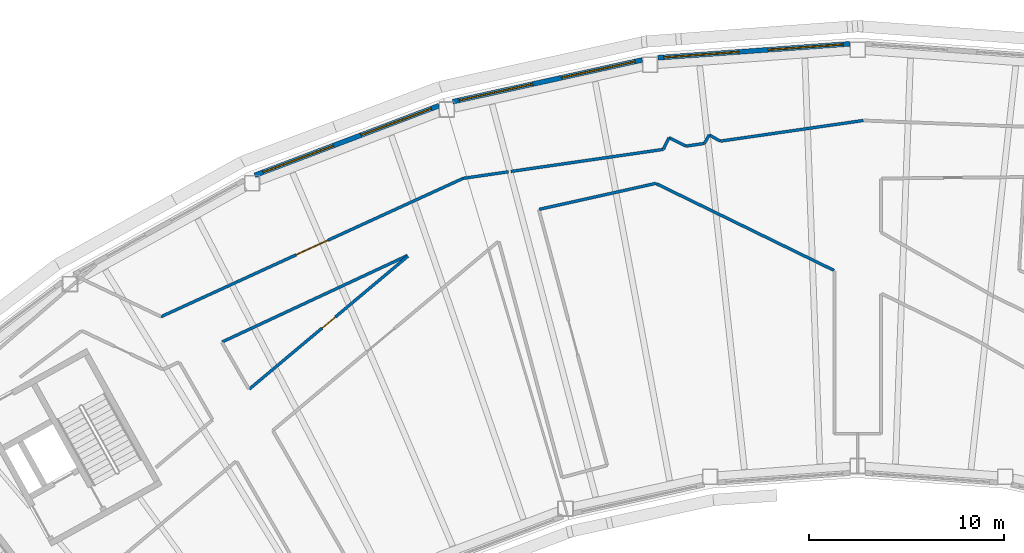
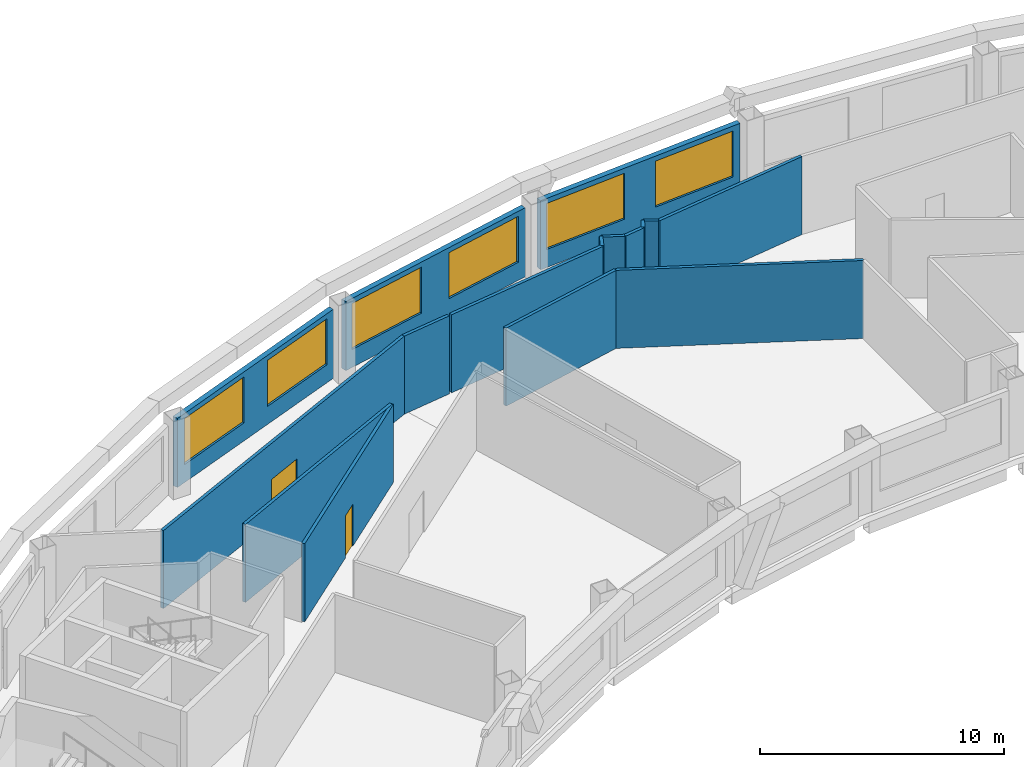
# One storey, part 7 of 13: 16 walls, 6 windows, 2 doors, 8 openings.
"""IFC4 building model written with IfcOpenShell, lengths in metres."""

from ifc_helpers import new_model, si_unit, direction, frame, frame_2d, origin, place, context, subcontext, project, spatial, rectangle, extrude, material, layer, layer_set, type_object, element, fill, save


model = new_model("IFC4")

# Units and contexts
model_context = context("Model", 3, precision=1e-05, world=origin(), true_north=direction((0.0, 1.0)))
body_context = subcontext(model_context, "Body", "Model", "MODEL_VIEW")
ifc_project = project(units=[si_unit("LENGTHUNIT", "METRE"), si_unit("AREAUNIT", "SQUARE_METRE"), si_unit("VOLUMEUNIT", "CUBIC_METRE"), si_unit("PLANEANGLEUNIT", "RADIAN"), si_unit("MASSUNIT", "GRAM", prefix="KILO")], contexts=[model_context])

# Site, building, storey
site_placement = place(None, origin())
site = spatial("IfcSite", under=ifc_project, at=site_placement, CompositionType="ELEMENT")
building_placement = place(site_placement, origin())
building = spatial("IfcBuilding", under=site, at=building_placement, Name="Tuul Gate Civic Tower", CompositionType="ELEMENT")
storey_placement = place(building_placement, frame((0.0, 0.0, 252.60009765625)))
storey = spatial("IfcBuildingStorey", under=building, at=storey_placement, Name="Level 57", CompositionType="ELEMENT", Elevation=252.60009765625)

# Walls
ifc_material_1 = material(Name="Gypsum board partition")
ifc_layer_1 = layer(ifc_material_1, 0.14990234375)
ifc_layer_set_1 = layer_set([ifc_layer_1], Name="Gypsum board partition")
wall_type_1 = type_object("IfcWallType", Name="Corridor wall P150", PredefinedType="PARTITIONING", material=ifc_layer_set_1)
wall_1_placement = place(storey_placement, frame((-9.205810546875, 6.873779296875, 0.0), z_axis=(0.0, 0.0, 1.0), x_axis=(0.989702683531, 0.143138388323, 0.0)))
element("IfcWall", 1, at=wall_1_placement, inside=storey, type_object=wall_type_1, Name="p015", PredefinedType="PARTITIONING", context=body_context, shape_type="SweptSolid", body=[
    extrude(rectangle(XDim=2.3486328125, YDim=0.14990234375, at=frame_2d((1.17431640625, 0.0))), origin(), (0.0, 0.0, 1.0), 3.89990234375),
])
wall_2_placement = place(storey_placement, frame((-6.75732421875, 7.227783203125, 0.0), z_axis=(0.0, 0.0, 1.0), x_axis=(0.989700467322, 0.143153711035, 0.0)))
element("IfcWall", 2, at=wall_2_placement, inside=storey, type_object=wall_type_1, Name="p016", PredefinedType="PARTITIONING", context=body_context, shape_type="SweptSolid", body=[
    extrude(rectangle(XDim=7.89111328125, YDim=0.14990234375, at=frame_2d((3.945556640625, 0.0))), origin(), (0.0, 0.0, 1.0), 3.89990234375),
])
wall_3_placement = place(storey_placement, frame((2.234130859375, 8.5283203125, 0.0), z_axis=(0.0, 0.0, 1.0), x_axis=(0.989713603091, 0.143062866798, 0.0)))
element("IfcWall", 3, at=wall_3_placement, inside=storey, type_object=wall_type_1, Name="p017", PredefinedType="PARTITIONING", context=body_context, shape_type="SweptSolid", body=[
    extrude(rectangle(XDim=0.936767578125, YDim=0.14990234375, at=frame_2d((0.46826171875, 0.0))), origin(), (0.0, 0.0, 1.0), 3.89990234375),
])
wall_4_placement = place(storey_placement, frame((3.98828125, 8.781982421875, 0.0), z_axis=(0.0, 0.0, 1.0), x_axis=(0.989707294465, 0.143106503289, 0.0)))
element("IfcWall", 4, at=wall_4_placement, inside=storey, type_object=wall_type_1, Name="p018", PredefinedType="PARTITIONING", context=body_context, shape_type="SweptSolid", body=[
    extrude(rectangle(XDim=7.40234375, YDim=0.14990234375, at=frame_2d((3.701171875, 0.0))), origin(), (0.0, 0.0, 1.0), 3.89990234375),
])
wall_5_placement = place(storey_placement, frame((3.415283203125, 9.103515625, 0.0), z_axis=(0.0, 0.0, 1.0), x_axis=(0.869611396189, -0.493736791842, 0.0)))
element("IfcWall", 5, at=wall_5_placement, inside=storey, type_object=wall_type_1, Name="p019", PredefinedType="PARTITIONING", context=body_context, shape_type="SweptSolid", body=[
    extrude(rectangle(XDim=0.646240234375, YDim=0.14990234375, at=frame_2d((0.3232421875, 0.0))), origin(), (0.0, 0.0, 1.0), 3.89990234375),
])
wall_6_placement = place(storey_placement, frame((3.170166015625, 8.67138671875, 0.0), z_axis=(0.0, 0.0, 1.0), x_axis=(0.4933845008, 0.869811321132, 0.0)))
element("IfcWall", 6, at=wall_6_placement, inside=storey, type_object=wall_type_1, Name="p023", PredefinedType="PARTITIONING", context=body_context, shape_type="SweptSolid", body=[
    extrude(rectangle(XDim=0.496826171875, YDim=0.14990234375, at=frame_2d((0.24853515625, 0.0))), origin(), (0.0, 0.0, 1.0), 3.89990234375),
])
wall_7_placement = place(storey_placement, frame((1.352783203125, 8.955810546875, 0.0), z_axis=(0.0, 0.0, 1.0), x_axis=(0.898664420182, -0.438636820044, 0.0)))
element("IfcWall", 7, at=wall_7_placement, inside=storey, type_object=wall_type_1, Name="p024", PredefinedType="PARTITIONING", context=body_context, shape_type="SweptSolid", body=[
    extrude(rectangle(XDim=0.97021484375, YDim=0.14990234375, at=frame_2d((0.485107421875, 0.0))), origin(), (0.0, 0.0, 1.0), 3.89990234375),
])
wall_8_placement = place(storey_placement, frame((1.064697265625, 8.3662109375, 0.0), z_axis=(0.0, 0.0, 1.0), x_axis=(0.439009938904, 0.898482205469, 0.0)))
element("IfcWall", 8, at=wall_8_placement, inside=storey, type_object=wall_type_1, Name="p026", PredefinedType="PARTITIONING", context=body_context, shape_type="SweptSolid", body=[
    extrude(rectangle(XDim=0.65625, YDim=0.14990234375, at=frame_2d((0.328125, 0.0))), origin(), (0.0, 0.0, 1.0), 3.89990234375),
])

# Wall, opening, door
wall_9_placement = place(storey_placement, frame((-20.170654296875, -3.934814453125, 0.0), z_axis=(0.0, 0.0, 1.0), x_axis=(0.766335865678, 0.642440145831, 0.0)))
wall_9 = element("IfcWall", 9, at=wall_9_placement, inside=storey, type_object=wall_type_1, Name="p028", PredefinedType="PARTITIONING", context=body_context, shape_type="SweptSolid", body=[
    extrude(rectangle(XDim=10.611328125, YDim=0.14990234375, at=frame_2d((5.3056640625, 0.0))), origin(), (0.0, 0.0, 1.0), 3.89990234375),
])
opening_1_placement = place(wall_9_placement, frame((4.855712890625, 0.0, 0.0)))
opening_1 = element("IfcOpeningElement", 10, at=opening_1_placement, cuts=wall_9, Name="Opening U-D11", PredefinedType="OPENING", context=body_context, shape_type="SweptSolid", body=[
    extrude(rectangle(XDim=0.89990234375, YDim=2.10009765625, at=frame_2d((0.449951171875, 1.050048828125))), frame((0.0, 0.0849609375, 0.0), z_axis=(0.0, -1.0, 0.0), x_axis=(1.0, 0.0, 0.0)), (0.0, 0.0, 1.0), 0.169921875),
])
ifc_material_2 = material(Name="Timber door leaf", Category="wood")
door_type_1 = type_object("IfcDoorType", Name="Door D09", OperationType="NOTDEFINED", PredefinedType="DOOR", material=ifc_material_2)
door_1_placement = place(opening_1_placement, origin())
door_1 = element("IfcDoor", 11, at=door_1_placement, inside=storey, type_object=door_type_1, Name="Door U-D11", OperationType="SINGLE_SWING_RIGHT", OverallHeight=2.10009765625, OverallWidth=0.89990234375, PredefinedType="DOOR", context=body_context, shape_type="SweptSolid", body=[
    extrude(rectangle(XDim=0.89990234375, YDim=2.10009765625, at=frame_2d((0.449951171875, 1.050048828125))), frame((0.0, 0.02490234375, 0.0), z_axis=(0.0, -1.0, 0.0), x_axis=(1.0, 0.0, 0.0)), (0.0, 0.0, 1.0), 0.050048828125),
])
fill(opening_1, door_1)

wall_10_placement = place(storey_placement, frame((-24.694091796875, -0.219970703125, 0.0), z_axis=(0.0, 0.0, 1.0), x_axis=(0.909182398531, 0.416398086212, 0.0)))
wall_10 = element("IfcWall", 12, at=wall_10_placement, inside=storey, type_object=wall_type_1, Name="p029", PredefinedType="PARTITIONING", context=body_context, shape_type="SweptSolid", body=[
    extrude(rectangle(XDim=17.035400390625, YDim=0.14990234375, at=frame_2d((8.517578125, 0.0))), origin(), (0.0, 0.0, 1.0), 3.89990234375),
])
opening_2_placement = place(wall_10_placement, frame((7.61767578125, 0.0, 0.0)))
opening_2 = element("IfcOpeningElement", 13, at=opening_2_placement, cuts=wall_10, Name="Opening U-D05", PredefinedType="OPENING", context=body_context, shape_type="SweptSolid", body=[
    extrude(rectangle(XDim=1.800048828125, YDim=2.10009765625, at=frame_2d((0.89990234375, 1.050048828125))), frame((0.0, 0.0849609375, 0.0), z_axis=(0.0, -1.0, 0.0), x_axis=(1.0, 0.0, 0.0)), (0.0, 0.0, 1.0), 0.169921875),
])
ifc_material_3 = material(Name="Timber door leaf, double", Category="wood")
door_type_2 = type_object("IfcDoorType", Name="Door D18", OperationType="DOUBLE_DOOR_SINGLE_SWING", PredefinedType="DOOR", material=ifc_material_3)
door_2_placement = place(opening_2_placement, origin())
door_2 = element("IfcDoor", 14, at=door_2_placement, inside=storey, type_object=door_type_2, Name="Door U-D05", OperationType="DOUBLE_DOOR_SINGLE_SWING", OverallHeight=2.10009765625, OverallWidth=1.800048828125, PredefinedType="DOOR", context=body_context, shape_type="SweptSolid", body=[
    extrude(rectangle(XDim=1.800048828125, YDim=2.10009765625, at=frame_2d((0.89990234375, 1.050048828125))), frame((0.0, 0.02490234375, 0.0), z_axis=(0.0, -1.0, 0.0), x_axis=(1.0, 0.0, 0.0)), (0.0, 0.0, 1.0), 0.050048828125),
])
fill(opening_2, door_2)

# Walls
wall_11_placement = place(storey_placement, frame((0.68212890625, 6.609375, 0.0), z_axis=(0.0, 0.0, 1.0), x_axis=(0.898674728338, -0.43861570041, 0.0)))
element("IfcWall", 15, at=wall_11_placement, inside=storey, type_object=wall_type_1, Name="p047", PredefinedType="PARTITIONING", context=body_context, shape_type="SweptSolid", body=[
    extrude(rectangle(XDim=10.167236328125, YDim=0.14990234375, at=frame_2d((5.08349609375, 0.0))), origin(), (0.0, 0.0, 1.0), 3.89990234375),
])
wall_12_placement = place(storey_placement, frame((-5.31103515625, 5.281982421875, 0.0), z_axis=(0.0, 0.0, 1.0), x_axis=(0.97611482286, 0.217255270574, 0.0)))
element("IfcWall", 16, at=wall_12_placement, inside=storey, type_object=wall_type_1, Name="p065", PredefinedType="PARTITIONING", context=body_context, shape_type="SweptSolid", body=[
    extrude(rectangle(XDim=6.1279296875, YDim=0.14990234375, at=frame_2d((3.06396484375, 0.0))), origin(), (0.0, 0.0, 1.0), 3.89990234375),
])
wall_13_placement = place(storey_placement, frame((-21.567626953125, -1.5185546875, 0.0), z_axis=(0.0, 0.0, 1.0), x_axis=(0.906275865887, 0.422686710118, 0.0)))
element("IfcWall", 17, at=wall_13_placement, inside=storey, type_object=wall_type_1, Name="p081", PredefinedType="PARTITIONING", context=body_context, shape_type="SweptSolid", body=[
    extrude(rectangle(XDim=10.49072265625, YDim=0.14990234375, at=frame_2d((5.245361328125, 0.0))), origin(), (0.0, 0.0, 1.0), 3.89990234375),
])

# Wall, openings, windows
ifc_material_4 = material(Name="Precast concrete C40/50", Category="concrete")
ifc_layer_2 = layer(ifc_material_4, 0.25)
ifc_layer_set_2 = layer_set([ifc_layer_2], Name="Precast concrete C40/50")
wall_type_2 = type_object("IfcWallType", Name="External wall", PredefinedType="STANDARD", material=ifc_layer_set_2)
wall_14_placement = place(storey_placement, frame((10.631103515625, 13.770751953125, 0.0), z_axis=(0.0, 0.0, 1.0), x_axis=(-0.997387687721, -0.072234343517, 0.0)))
wall_14 = element("IfcWall", 18, at=wall_14_placement, inside=storey, type_object=wall_type_2, Name="External wall", PredefinedType="STANDARD", context=body_context, shape_type="SweptSolid", body=[
    extrude(rectangle(XDim=9.8759765625, YDim=0.25, at=frame_2d((4.93798828125, 0.0))), origin(), (0.0, 0.0, 1.0), 3.449951171875),
])
opening_3_placement = place(wall_14_placement, frame((0.3505859375, 0.0, 0.89990234375)))
opening_3 = element("IfcOpeningElement", 19, at=opening_3_placement, cuts=wall_14, Name="Opening W22", PredefinedType="OPENING", context=body_context, shape_type="SweptSolid", body=[
    extrude(rectangle(XDim=3.85009765625, YDim=2.300048828125, at=frame_2d((1.925048828125, 1.14990234375))), frame((0.0, 0.135009765625, 0.0), z_axis=(0.0, -1.0, 0.0), x_axis=(1.0, 0.0, 0.0)), (0.0, 0.0, 1.0), 0.27001953125),
])
opening_4_placement = place(wall_14_placement, frame((5.72216796875, 0.0, 0.89990234375)))
opening_4 = element("IfcOpeningElement", 20, at=opening_4_placement, cuts=wall_14, Name="Opening W22", PredefinedType="OPENING", context=body_context, shape_type="SweptSolid", body=[
    extrude(rectangle(XDim=3.85009765625, YDim=2.300048828125, at=frame_2d((1.925048828125, 1.14990234375))), frame((0.0, 0.135009765625, 0.0), z_axis=(0.0, -1.0, 0.0), x_axis=(1.0, 0.0, 0.0)), (0.0, 0.0, 1.0), 0.27001953125),
])
ifc_material_5 = material(Name="Glass", Category="glass")
window_type = type_object("IfcWindowType", Name="Window W22 3850 x 2300", PartitioningType="SINGLE_PANEL", PredefinedType="WINDOW", material=ifc_material_5)
window_1_placement = place(opening_3_placement, origin())
window_1 = element("IfcWindow", 21, at=window_1_placement, inside=storey, type_object=window_type, Name="Window", OverallHeight=2.300048828125, OverallWidth=3.85009765625, PartitioningType="SINGLE_PANEL", PredefinedType="WINDOW", context=body_context, shape_type="SweptSolid", body=[
    extrude(rectangle(XDim=3.85009765625, YDim=2.300048828125, at=frame_2d((1.925048828125, 1.14990234375))), frame((0.0, 0.030029296875, 0.0), z_axis=(0.0, -1.0, 0.0), x_axis=(1.0, 0.0, 0.0)), (0.0, 0.0, 1.0), 0.06005859375),
])
fill(opening_3, window_1)
window_2_placement = place(opening_4_placement, origin())
window_2 = element("IfcWindow", 22, at=window_2_placement, inside=storey, type_object=window_type, Name="Window", OverallHeight=2.300048828125, OverallWidth=3.85009765625, PartitioningType="SINGLE_PANEL", PredefinedType="WINDOW", context=body_context, shape_type="SweptSolid", body=[
    extrude(rectangle(XDim=3.85009765625, YDim=2.300048828125, at=frame_2d((1.925048828125, 1.14990234375))), frame((0.0, 0.030029296875, 0.0), z_axis=(0.0, -1.0, 0.0), x_axis=(1.0, 0.0, 0.0)), (0.0, 0.0, 1.0), 0.06005859375),
])
fill(opening_4, window_2)

wall_15_placement = place(storey_placement, frame((-0.01904296875, 12.947265625, 0.0), z_axis=(0.0, 0.0, 1.0), x_axis=(-0.976559045146, -0.215249695339, 0.0)))
wall_15 = element("IfcWall", 23, at=wall_15_placement, inside=storey, type_object=wall_type_2, Name="External wall", PredefinedType="STANDARD", context=body_context, shape_type="SweptSolid", body=[
    extrude(rectangle(XDim=9.952880859375, YDim=0.25, at=frame_2d((4.9765625, 0.0))), origin(), (0.0, 0.0, 1.0), 3.449951171875),
])
opening_5_placement = place(wall_15_placement, frame((0.389892578125, 0.0, 0.89990234375)))
opening_5 = element("IfcOpeningElement", 24, at=opening_5_placement, cuts=wall_15, Name="Opening W22", PredefinedType="OPENING", context=body_context, shape_type="SweptSolid", body=[
    extrude(rectangle(XDim=3.85009765625, YDim=2.300048828125, at=frame_2d((1.925048828125, 1.14990234375))), frame((0.0, 0.135009765625, 0.0), z_axis=(0.0, -1.0, 0.0), x_axis=(1.0, 0.0, 0.0)), (0.0, 0.0, 1.0), 0.27001953125),
])
opening_6_placement = place(wall_15_placement, frame((5.7607421875, 0.0, 0.89990234375)))
opening_6 = element("IfcOpeningElement", 25, at=opening_6_placement, cuts=wall_15, Name="Opening W22", PredefinedType="OPENING", context=body_context, shape_type="SweptSolid", body=[
    extrude(rectangle(XDim=3.85009765625, YDim=2.300048828125, at=frame_2d((1.925048828125, 1.14990234375))), frame((0.0, 0.135009765625, 0.0), z_axis=(0.0, -1.0, 0.0), x_axis=(1.0, 0.0, 0.0)), (0.0, 0.0, 1.0), 0.27001953125),
])
window_3_placement = place(opening_5_placement, origin())
window_3 = element("IfcWindow", 26, at=window_3_placement, inside=storey, type_object=window_type, Name="Window", OverallHeight=2.300048828125, OverallWidth=3.85009765625, PartitioningType="SINGLE_PANEL", PredefinedType="WINDOW", context=body_context, shape_type="SweptSolid", body=[
    extrude(rectangle(XDim=3.85009765625, YDim=2.300048828125, at=frame_2d((1.925048828125, 1.14990234375))), frame((0.0, 0.030029296875, 0.0), z_axis=(0.0, -1.0, 0.0), x_axis=(1.0, 0.0, 0.0)), (0.0, 0.0, 1.0), 0.06005859375),
])
fill(opening_5, window_3)
window_4_placement = place(opening_6_placement, origin())
window_4 = element("IfcWindow", 27, at=window_4_placement, inside=storey, type_object=window_type, Name="Window", OverallHeight=2.300048828125, OverallWidth=3.85009765625, PartitioningType="SINGLE_PANEL", PredefinedType="WINDOW", context=body_context, shape_type="SweptSolid", body=[
    extrude(rectangle(XDim=3.85009765625, YDim=2.300048828125, at=frame_2d((1.925048828125, 1.14990234375))), frame((0.0, 0.030029296875, 0.0), z_axis=(0.0, -1.0, 0.0), x_axis=(1.0, 0.0, 0.0)), (0.0, 0.0, 1.0), 0.06005859375),
])
fill(opening_6, window_4)

wall_16_placement = place(storey_placement, frame((-10.446044921875, 10.6005859375, 0.0), z_axis=(0.0, 0.0, 1.0), x_axis=(-0.935343984789, -0.353739494712, 0.0)))
wall_16 = element("IfcWall", 28, at=wall_16_placement, inside=storey, type_object=wall_type_2, Name="External wall", PredefinedType="STANDARD", context=body_context, shape_type="SweptSolid", body=[
    extrude(rectangle(XDim=10.099365234375, YDim=0.25, at=frame_2d((5.0498046875, 0.0))), origin(), (0.0, 0.0, 1.0), 3.449951171875),
])
opening_7_placement = place(wall_16_placement, frame((0.422607421875, 0.0, 0.89990234375)))
opening_7 = element("IfcOpeningElement", 29, at=opening_7_placement, cuts=wall_16, Name="Opening W22", PredefinedType="OPENING", context=body_context, shape_type="SweptSolid", body=[
    extrude(rectangle(XDim=3.85009765625, YDim=2.300048828125, at=frame_2d((1.925048828125, 1.14990234375))), frame((0.0, 0.135009765625, 0.0), z_axis=(0.0, -1.0, 0.0), x_axis=(1.0, 0.0, 0.0)), (0.0, 0.0, 1.0), 0.27001953125),
])
opening_8_placement = place(wall_16_placement, frame((5.7939453125, 0.0, 0.89990234375)))
opening_8 = element("IfcOpeningElement", 30, at=opening_8_placement, cuts=wall_16, Name="Opening W22", PredefinedType="OPENING", context=body_context, shape_type="SweptSolid", body=[
    extrude(rectangle(XDim=3.85009765625, YDim=2.300048828125, at=frame_2d((1.925048828125, 1.14990234375))), frame((0.0, 0.135009765625, 0.0), z_axis=(0.0, -1.0, 0.0), x_axis=(1.0, 0.0, 0.0)), (0.0, 0.0, 1.0), 0.27001953125),
])
window_5_placement = place(opening_7_placement, origin())
window_5 = element("IfcWindow", 31, at=window_5_placement, inside=storey, type_object=window_type, Name="Window", OverallHeight=2.300048828125, OverallWidth=3.85009765625, PartitioningType="SINGLE_PANEL", PredefinedType="WINDOW", context=body_context, shape_type="SweptSolid", body=[
    extrude(rectangle(XDim=3.85009765625, YDim=2.300048828125, at=frame_2d((1.925048828125, 1.14990234375))), frame((0.0, 0.030029296875, 0.0), z_axis=(0.0, -1.0, 0.0), x_axis=(1.0, 0.0, 0.0)), (0.0, 0.0, 1.0), 0.06005859375),
])
fill(opening_7, window_5)
window_6_placement = place(opening_8_placement, origin())
window_6 = element("IfcWindow", 32, at=window_6_placement, inside=storey, type_object=window_type, Name="Window", OverallHeight=2.300048828125, OverallWidth=3.85009765625, PartitioningType="SINGLE_PANEL", PredefinedType="WINDOW", context=body_context, shape_type="SweptSolid", body=[
    extrude(rectangle(XDim=3.85009765625, YDim=2.300048828125, at=frame_2d((1.925048828125, 1.14990234375))), frame((0.0, 0.030029296875, 0.0), z_axis=(0.0, -1.0, 0.0), x_axis=(1.0, 0.0, 0.0)), (0.0, 0.0, 1.0), 0.06005859375),
])
fill(opening_8, window_6)

save(model, "model.ifc")
